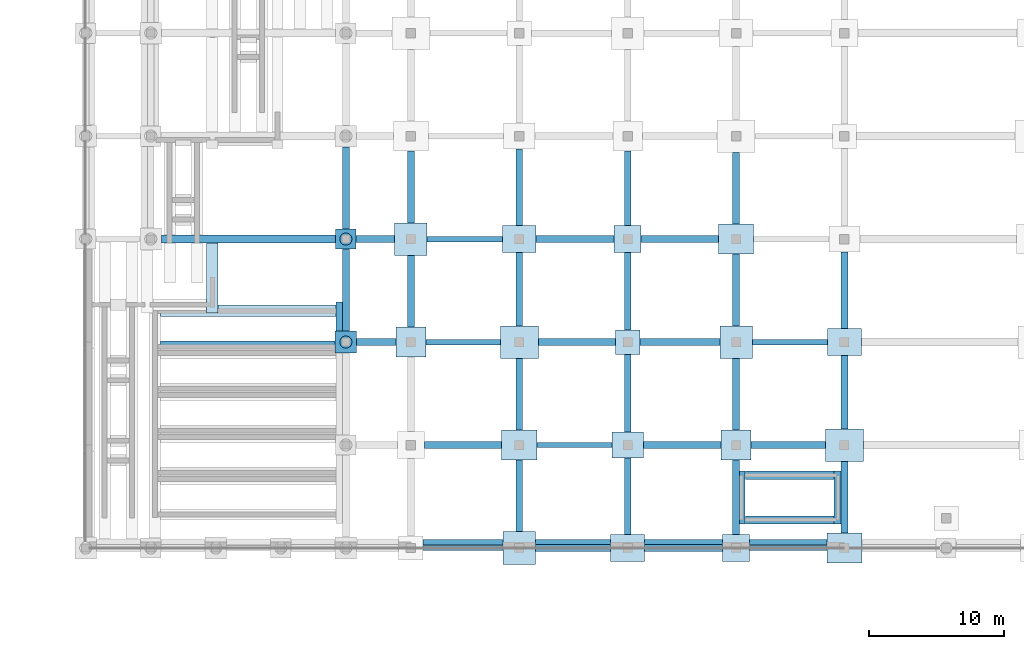
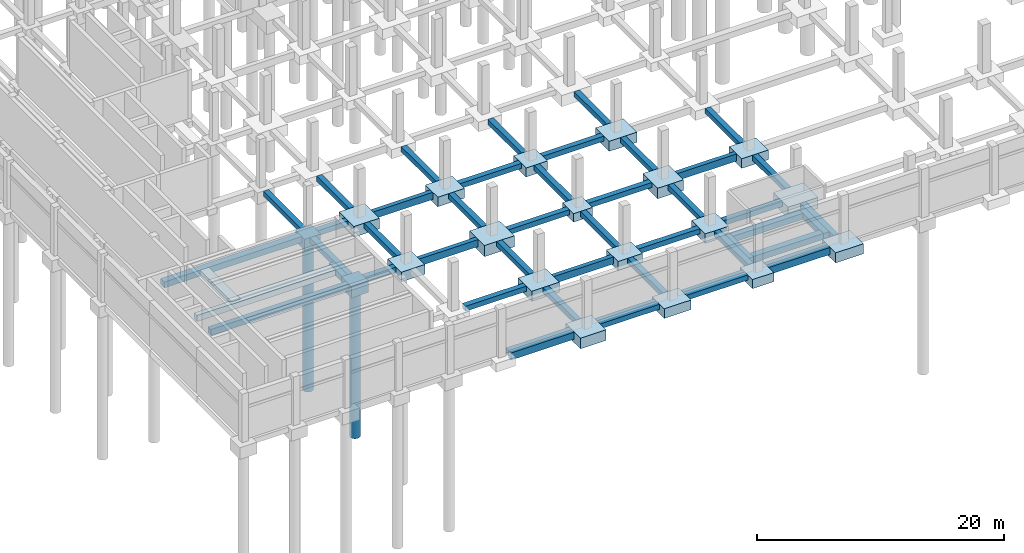
# One storey, part 2 of 50: 68 footings, 2 piles.
"""IFC4 building model written with IfcOpenShell, lengths in metres."""

import ifcopenshell
import ifcopenshell.guid

model = None  # the IFC model being written
_history = None  # IfcOwnerHistory: only IFC2X3 demands one
_inside = {}  # id of a spatial element -> (the spatial element, [elements in it])
_under = {}  # id of a project, library or spatial element -> (it, [spatial elements below it])
_declared = {}  # id of a project -> (the project, [libraries it declares])
_typed = {}  # id of a type object -> (the type object, [elements of that type])
_made_of = {}  # id of a material, layer set ... -> (it, [elements and type objects made of it])


def new_model(schema):
    """Start an empty IFC model of exactly this schema.

    Asked for "IFC4X3", IfcOpenShell would pick the latest addendum, in which some entities
    have other attributes; the version numbers below select the first issue.
    IFC2X3 requires an IfcOwnerHistory on every rooted entity: one is made here for all.
    """
    global model, _history
    if schema == "IFC4X3":
        model = ifcopenshell.file(schema_version=(4, 3, 0, 0))
    else:
        model = ifcopenshell.file(schema=schema)
    _inside.clear()
    _under.clear()
    _declared.clear()
    _typed.clear()
    _made_of.clear()
    _history = None
    if model.schema == "IFC2X3":
        org = make("IfcOrganization", Name="unknown")
        user = make(
            "IfcPersonAndOrganization",
            ThePerson=make("IfcPerson", FamilyName="unknown"),
            TheOrganization=org,
        )
        app = make(
            "IfcApplication",
            ApplicationDeveloper=org,
            Version="unknown",
            ApplicationFullName="unknown",
            ApplicationIdentifier="unknown",
        )
        _history = make(
            "IfcOwnerHistory",
            OwningUser=user,
            OwningApplication=app,
            ChangeAction="ADDED",
            CreationDate=0,
        )
    return model


def make(cls, **values):
    """One entity of the class cls with the attributes given. An attribute that is None is left unset."""
    return model.create_entity(
        cls, **{name: value for name, value in values.items() if value is not None}
    )


def rooted(cls, **values):
    """An entity with a GlobalId (a new one), such as an element, a storey or a relation."""
    return make(cls, GlobalId=ifcopenshell.guid.new(), OwnerHistory=_history, **values)


def si_unit(unit_type, name, prefix=None):
    """IfcSIUnit, for example si_unit("LENGTHUNIT", "METRE", prefix="MILLI")."""
    return make("IfcSIUnit", UnitType=unit_type, Prefix=prefix, Name=name)


def assignment(units):
    """IfcUnitAssignment: the units of a project."""
    return None if units is None else make("IfcUnitAssignment", Units=units)


def point(xyz):
    """IfcCartesianPoint."""
    return None if xyz is None else make("IfcCartesianPoint", Coordinates=xyz)


def direction(xyz):
    """IfcDirection."""
    return None if xyz is None else make("IfcDirection", DirectionRatios=xyz)


def frame(location, z_axis=None, x_axis=None):
    """IfcAxis2Placement3D, a coordinate frame: its origin and axes. An axis left out is left unset."""
    return make(
        "IfcAxis2Placement3D",
        Location=point(location),
        Axis=direction(z_axis),
        RefDirection=direction(x_axis),
    )


def frame_2d(location, x_axis=None):
    """IfcAxis2Placement2D, a coordinate frame in the plane: its origin and x axis."""
    return make(
        "IfcAxis2Placement2D", Location=point(location), RefDirection=direction(x_axis)
    )


def origin():
    """The frame at (0, 0, 0) with its axes left unset."""
    return frame((0.0, 0.0, 0.0))


def origin_2d():
    """The frame at (0, 0) in the plane with its x axis left unset."""
    return frame_2d((0.0, 0.0))


def place(relative_to, where):
    """IfcLocalPlacement: puts the frame where relative to a parent placement (None: the world)."""
    return make(
        "IfcLocalPlacement", PlacementRelTo=relative_to, RelativePlacement=where
    )


def context(
    kind, dimensions, precision=None, world=None, true_north=None, identifier=None
):
    """IfcGeometricRepresentationContext, for example the 3D "Model" context."""
    return make(
        "IfcGeometricRepresentationContext",
        ContextIdentifier=identifier,
        ContextType=kind,
        CoordinateSpaceDimension=dimensions,
        Precision=precision,
        WorldCoordinateSystem=world,
        TrueNorth=true_north,
    )


def subcontext(parent, identifier, kind, view, scale=None):
    """IfcGeometricRepresentationSubContext, for example "Body" below "Model"."""
    return make(
        "IfcGeometricRepresentationSubContext",
        ContextIdentifier=identifier,
        ContextType=kind,
        ParentContext=parent,
        TargetScale=scale,
        TargetView=view,
    )


def project(units=None, contexts=None):
    """IfcProject with its units and contexts."""
    return rooted(
        "IfcProject",
        Name="project",
        RepresentationContexts=contexts,
        UnitsInContext=assignment(units),
    )


def spatial(cls, under=None, at=None, **own):
    """A site, building, storey or space (cls), placed at a placement, below another one or the project."""
    s = rooted(cls, ObjectPlacement=at, **own)
    if under is not None:
        _under.setdefault(under.id(), (under, []))[1].append(s)
    return s


def polyline(points):
    """IfcPolyline through the points."""
    return make("IfcPolyline", Points=[point(p) for p in points])


def profile(cls, at=None, kind="AREA", **sizes):
    """A parametric profile (cls). Its sizes go by their IFC names, for example OverallWidth=200.0."""
    return make(cls, ProfileType=kind, Position=at, **sizes)


def rectangle(**sizes):
    """IfcRectangleProfileDef."""
    return profile("IfcRectangleProfileDef", **sizes)


def circle(**sizes):
    """IfcCircleProfileDef."""
    return profile("IfcCircleProfileDef", **sizes)


def outline(outer, holes=None, kind="AREA"):
    """IfcArbitraryClosedProfileDef: a profile drawn as a closed curve; with holes, ...WithVoids."""
    if holes is None:
        return make("IfcArbitraryClosedProfileDef", ProfileType=kind, OuterCurve=outer)
    return make(
        "IfcArbitraryProfileDefWithVoids",
        ProfileType=kind,
        OuterCurve=outer,
        InnerCurves=holes,
    )


def extrude(swept, where, along, depth):
    """IfcExtrudedAreaSolid: the profile swept, set in the frame where, extruded along a direction by depth."""
    return make(
        "IfcExtrudedAreaSolid",
        SweptArea=swept,
        Position=where,
        ExtrudedDirection=direction(along),
        Depth=depth,
    )


def shape(context_of_items, identifier, shape_type, items):
    """IfcShapeRepresentation: the items that make up one representation, for example the "Body"."""
    return make(
        "IfcShapeRepresentation",
        ContextOfItems=context_of_items,
        RepresentationIdentifier=identifier,
        RepresentationType=shape_type,
        Items=items,
    )


def material(Name=None, Category=None):
    """IfcMaterial."""
    return make("IfcMaterial", Name=Name, Category=Category)


def material_profile(
    of_material, cross_section, Name=None, Category=None, Priority=None
):
    """IfcMaterialProfile: a cross section and its material."""
    return make(
        "IfcMaterialProfile",
        Name=Name,
        Material=of_material,
        Profile=cross_section,
        Priority=Priority,
        Category=Category,
    )


def profile_set(profiles, Name=None, composite=None):
    """IfcMaterialProfileSet."""
    return make(
        "IfcMaterialProfileSet",
        Name=Name,
        MaterialProfiles=profiles,
        CompositeProfile=composite,
    )


def made_of(thing, what):
    """Note that an element or type object is made of a material, layer set ...; save() writes the relation."""
    if what is not None:
        _made_of.setdefault(what.id(), (what, []))[1].append(thing)
    return thing


def type_object(cls, material=None, **own):
    """A type object (cls), such as IfcWallType, which elements share."""
    return made_of(rooted(cls, **own), material)


def element(
    cls,
    number,
    at=None,
    inside=None,
    cuts=None,
    type_object=None,
    material=None,
    context=None,
    identifier="Body",
    shape_type=None,
    held_by="IfcProductDefinitionShape",
    body=None,
    shapes=None,
    **own,
):
    """One element of the class cls, such as IfcWall. Its Tag is "e" and its number.

    at: its placement. inside: the storey or other place that contains it. cuts: it is an
    opening in that element (IfcRelVoidsElement). A single representation is given by context,
    identifier, shape_type and body (its items); several are given by shapes. held_by: the class
    of the entity that holds the representations. save() writes the other relations.
    """
    e = rooted(cls, Tag="e%d" % number, ObjectPlacement=at, **own)
    if body is not None:
        shapes = [shape(context, identifier, shape_type, body)]
    if shapes is not None:
        e.Representation = make(held_by, Representations=shapes)
    if inside is not None:
        _inside.setdefault(inside.id(), (inside, []))[1].append(e)
    if cuts is not None:
        rooted(
            "IfcRelVoidsElement", RelatingBuildingElement=cuts, RelatedOpeningElement=e
        )
    if type_object is not None:
        _typed.setdefault(type_object.id(), (type_object, []))[1].append(e)
    return made_of(e, material)


def aggregate(whole, parts):
    """IfcRelAggregates: a whole, such as a stair, and the parts it consists of."""
    return rooted("IfcRelAggregates", RelatingObject=whole, RelatedObjects=parts)


def save(model, path):
    """Write the relations noted so far, then the file.

    IfcRelAggregates (storeys below a building ...), IfcRelContainedInSpatialStructure (elements
    in a storey), IfcRelDefinesByType, IfcRelAssociatesMaterial and IfcRelDeclares: one each for
    every whole, place, type object, material and project.
    """
    for whole, parts in _under.values():
        aggregate(whole, parts)
    for where, things in _inside.values():
        rooted(
            "IfcRelContainedInSpatialStructure",
            RelatedElements=things,
            RelatingStructure=where,
        )
    for kind, things in _typed.values():
        rooted("IfcRelDefinesByType", RelatedObjects=things, RelatingType=kind)
    for what, things in _made_of.values():
        rooted("IfcRelAssociatesMaterial", RelatedObjects=things, RelatingMaterial=what)
    for by, libraries in _declared.values():
        rooted("IfcRelDeclares", RelatingContext=by, RelatedDefinitions=libraries)
    model.write(path)


model = new_model("IFC4")

# Units and contexts
model_context = context("Model", 3, precision=1e-05, world=origin(), true_north=direction((0.0, 1.0)))
body_context = subcontext(model_context, "Body", "Model", "MODEL_VIEW")
ifc_project = project(units=[si_unit("LENGTHUNIT", "METRE"), si_unit("AREAUNIT", "SQUARE_METRE"), si_unit("VOLUMEUNIT", "CUBIC_METRE"), si_unit("PLANEANGLEUNIT", "RADIAN"), si_unit("MASSUNIT", "GRAM", prefix="KILO")], contexts=[model_context])

# Site, building, storey
site_placement = place(None, origin())
site = spatial("IfcSite", under=ifc_project, at=site_placement, CompositionType="ELEMENT")
building_placement = place(site_placement, origin())
building = spatial("IfcBuilding", under=site, at=building_placement, Name="Vekula Escarpment Museum", CompositionType="ELEMENT")
storey_placement = place(building_placement, frame((0.0, 0.0, -4.800048828125)))
storey = spatial("IfcBuildingStorey", under=building, at=storey_placement, Name="B1", CompositionType="ELEMENT", Elevation=-4.800048828125)

# Footings
ifc_material_1 = material(Name="Concrete C35/45", Category="concrete")
footing_type_1 = type_object("IfcFootingType", Name="FB-STRIP-600", PredefinedType="STRIP_FOOTING", material=ifc_material_1)
footing_1_placement = place(storey_placement, frame((0.0, 0.0, -0.599853515625)))
element("IfcFooting", 1, at=footing_1_placement, inside=storey, type_object=footing_type_1, Name="Plinth Wall Strip Footing 0064", PredefinedType="STRIP_FOOTING", context=body_context, shape_type="SweptSolid", body=[
    extrude(outline(polyline([(30.7958984375, 0.64501953125), (30.7958984375, 0.2041015625), (24.904052734375, 0.2041015625), (24.904052734375, 0.64501953125), (30.7958984375, 0.64501953125)])), origin(), (0.0, 0.0, 1.0), 0.599853515625),
])
footing_2_placement = place(storey_placement, frame((0.0, 0.0, -0.599853515625)))
element("IfcFooting", 2, at=footing_2_placement, inside=storey, type_object=footing_type_1, Name="Plinth Wall Strip Footing 0065", PredefinedType="STRIP_FOOTING", context=body_context, shape_type="SweptSolid", body=[
    extrude(outline(polyline([(38.74609375, 0.64501953125), (38.74609375, 0.25390625), (33.2041015625, 0.25390625), (33.2041015625, 0.64501953125), (38.74609375, 0.64501953125)])), origin(), (0.0, 0.0, 1.0), 0.599853515625),
])
footing_3_placement = place(storey_placement, frame((0.0, 0.0, -0.599853515625)))
element("IfcFooting", 3, at=footing_3_placement, inside=storey, type_object=footing_type_1, Name="Plinth Wall Strip Footing 0066", PredefinedType="STRIP_FOOTING", context=body_context, shape_type="SweptSolid", body=[
    extrude(outline(polyline([(46.99609375, 0.64501953125), (46.99609375, 0.25390625), (41.25390625, 0.25390625), (41.25390625, 0.64501953125), (46.99609375, 0.64501953125)])), origin(), (0.0, 0.0, 1.0), 0.599853515625),
])
footing_4_placement = place(storey_placement, frame((0.0, 0.0, -0.599853515625)))
element("IfcFooting", 4, at=footing_4_placement, inside=storey, type_object=footing_type_1, Name="Plinth Wall Strip Footing 0067", PredefinedType="STRIP_FOOTING", context=body_context, shape_type="SweptSolid", body=[
    extrude(outline(polyline([(54.696044921875, 0.64501953125), (54.696044921875, 0.2041015625), (49.00390625, 0.2041015625), (49.00390625, 0.64501953125), (54.696044921875, 0.64501953125)])), origin(), (0.0, 0.0, 1.0), 0.599853515625),
])
footing_5_placement = place(storey_placement, frame((0.0, 0.0, -0.599853515625)))
element("IfcFooting", 5, at=footing_5_placement, inside=storey, type_object=footing_type_1, Name="Plinth Wall Strip Footing 0167", PredefinedType="STRIP_FOOTING", context=body_context, shape_type="SweptSolid", body=[
    extrude(outline(polyline([(9.77001953125, 17.340087890625), (8.929931640625, 17.340087890625), (8.929931640625, 22.49609375), (9.77001953125, 22.49609375), (9.77001953125, 17.340087890625)])), origin(), (0.0, 0.0, 1.0), 0.599853515625),
])
footing_6_placement = place(storey_placement, frame((0.0, 0.0, -0.599853515625)))
element("IfcFooting", 6, at=footing_6_placement, inside=storey, type_object=footing_type_1, Name="Plinth Wall Strip Footing 0183", PredefinedType="STRIP_FOOTING", context=body_context, shape_type="SweptSolid", body=[
    extrude(outline(polyline([(18.47998046875, 18.159912109375), (18.946044921875, 18.159912109375), (18.946044921875, 16.00390625), (18.47998046875, 16.00390625), (18.47998046875, 18.159912109375)])), origin(), (0.0, 0.0, 1.0), 0.599853515625),
])
footing_7_placement = place(storey_placement, frame((0.0, 0.0, -0.599853515625)))
element("IfcFooting", 7, at=footing_7_placement, inside=storey, type_object=footing_type_1, Name="Plinth Wall Strip Footing 0196", PredefinedType="STRIP_FOOTING", context=body_context, shape_type="SweptSolid", body=[
    extrude(outline(polyline([(18.39599609375, 15.27001953125), (18.39599609375, 14.803955078125), (5.52392578125, 14.803955078125), (5.52392578125, 15.27001953125), (18.39599609375, 15.27001953125)])), origin(), (0.0, 0.0, 1.0), 0.599853515625),
])
footing_8_placement = place(storey_placement, frame((0.0, 0.0, -0.599853515625)))
element("IfcFooting", 8, at=footing_8_placement, inside=storey, type_object=footing_type_1, Name="Plinth Wall Strip Footing 0197", PredefinedType="STRIP_FOOTING", context=body_context, shape_type="SweptSolid", body=[
    extrude(outline(polyline([(5.52392578125, 17.080078125), (5.52392578125, 17.52587890625), (8.926025390625, 17.52587890625), (8.926025390625, 17.3359375), (9.77392578125, 17.3359375), (9.77392578125, 17.919921875), (18.47607421875, 17.919921875), (18.47607421875, 17.080078125), (5.52392578125, 17.080078125)])), origin(), (0.0, 0.0, 1.0), 0.599853515625),
])
footing_9_placement = place(storey_placement, frame((0.0, 0.0, -0.599853515625)))
element("IfcFooting", 9, at=footing_9_placement, inside=storey, type_object=footing_type_1, Name="Stair Core Strip Footing ST-07 W", PredefinedType="STRIP_FOOTING", context=body_context, shape_type="SweptSolid", body=[
    extrude(outline(polyline([(48.675048828125, 5.68505859375), (48.675048828125, 1.7548828125), (48.25390625, 1.7548828125), (48.25390625, 5.68505859375), (48.675048828125, 5.68505859375)])), origin(), (0.0, 0.0, 1.0), 0.599853515625),
])
footing_10_placement = place(storey_placement, frame((0.0, 0.0, -0.599853515625)))
element("IfcFooting", 10, at=footing_10_placement, inside=storey, type_object=footing_type_1, Name="Stair Core Strip Footing ST-07 E", PredefinedType="STRIP_FOOTING", context=body_context, shape_type="SweptSolid", body=[
    extrude(outline(polyline([(55.22509765625, 1.7548828125), (55.22509765625, 5.68505859375), (55.74609375, 5.68505859375), (55.74609375, 1.7548828125), (55.22509765625, 1.7548828125)])), origin(), (0.0, 0.0, 1.0), 0.599853515625),
])
footing_11_placement = place(storey_placement, frame((0.0, 0.0, -0.599853515625)))
element("IfcFooting", 11, at=footing_11_placement, inside=storey, type_object=footing_type_1, Name="Stair Core Strip Footing ST-07 S", PredefinedType="STRIP_FOOTING", context=body_context, shape_type="SweptSolid", body=[
    extrude(outline(polyline([(48.678955078125, 1.77490234375), (48.678955078125, 2.375), (55.220947265625, 2.375), (55.220947265625, 1.77490234375), (48.678955078125, 1.77490234375)])), origin(), (0.0, 0.0, 1.0), 0.599853515625),
])
footing_12_placement = place(storey_placement, frame((0.0, 0.0, -0.599853515625)))
element("IfcFooting", 12, at=footing_12_placement, inside=storey, type_object=footing_type_1, Name="Stair Core Strip Footing ST-07 N", PredefinedType="STRIP_FOOTING", context=body_context, shape_type="SweptSolid", body=[
    extrude(outline(polyline([(48.678955078125, 5.06494140625), (48.678955078125, 5.6650390625), (55.220947265625, 5.6650390625), (55.220947265625, 5.06494140625), (48.678955078125, 5.06494140625)])), origin(), (0.0, 0.0, 1.0), 0.599853515625),
])
ifc_material_2 = material(Name="Concrete C35/45", Category="concrete")
ifc_material_profile_1 = material_profile(ifc_material_2, rectangle(XDim=0.39990234375, YDim=0.699951171875, at=origin_2d()), Name="RC 400x700")
ifc_profile_set_1 = profile_set([ifc_material_profile_1], Name="Concrete C35/45")
footing_type_2 = type_object("IfcFootingType", Name="FB-TIE-400x700", PredefinedType="FOOTING_BEAM", material=ifc_profile_set_1)
footing_13_placement = place(storey_placement, frame((24.89990234375, 0.0, -0.349853515625), z_axis=(1.0, 0.0, 0.0), x_axis=(0.0, 1.0, 0.0)))
element("IfcFooting", 13, at=footing_13_placement, inside=storey, type_object=footing_type_2, Name="Foundation Tie Beam 006", PredefinedType="FOOTING_BEAM", context=body_context, shape_type="SweptSolid", body=[
    extrude(rectangle(XDim=0.39990234375, YDim=0.699951171875, at=origin_2d()), origin(), (0.0, 0.0, 1.0), 5.900146484375),
])
footing_14_placement = place(storey_placement, frame((49.0, 0.0, -0.349853515625), z_axis=(1.0, 0.0, 0.0), x_axis=(0.0, 1.0, 0.0)))
element("IfcFooting", 14, at=footing_14_placement, inside=storey, type_object=footing_type_2, Name="Foundation Tie Beam 009", PredefinedType="FOOTING_BEAM", context=body_context, shape_type="SweptSolid", body=[
    extrude(rectangle(XDim=0.39990234375, YDim=0.699951171875, at=origin_2d()), origin(), (0.0, 0.0, 1.0), 5.699951171875),
])
footing_15_placement = place(storey_placement, frame((33.300048828125, 7.60009765625, -0.349853515625), z_axis=(1.0, 0.0, 0.0), x_axis=(0.0, 1.0, 0.0)))
element("IfcFooting", 15, at=footing_15_placement, inside=storey, type_object=footing_type_2, Name="Foundation Tie Beam 027", PredefinedType="FOOTING_BEAM", context=body_context, shape_type="SweptSolid", body=[
    extrude(rectangle(XDim=0.39990234375, YDim=0.699951171875, at=origin_2d()), origin(), (0.0, 0.0, 1.0), 5.550048828125),
])
footing_16_placement = place(storey_placement, frame((25.10009765625, 15.199951171875, -0.349853515625), z_axis=(1.0, 0.0, 0.0), x_axis=(0.0, 1.0, 0.0)))
element("IfcFooting", 16, at=footing_16_placement, inside=storey, type_object=footing_type_2, Name="Foundation Tie Beam 045", PredefinedType="FOOTING_BEAM", context=body_context, shape_type="SweptSolid", body=[
    extrude(rectangle(XDim=0.39990234375, YDim=0.699951171875, at=origin_2d()), origin(), (0.0, 0.0, 1.0), 5.5),
])
for number, where, z_axis, x_axis, name in (
    (17, (49.199951171875, 15.199951171875, -0.349853515625), (1.0, 0.0, 0.0), (0.0, 1.0, 0.0), "Foundation Tie Beam 048"),
    (18, (25.199951171875, 22.800048828125, -0.349853515625), (1.0, 0.0, 0.0), (0.0, 1.0, 0.0), "Foundation Tie Beam 066"),
):
    element("IfcFooting", number, at=place(storey_placement, frame(where, z_axis=z_axis, x_axis=x_axis)), inside=storey, type_object=footing_type_2, Name=name, PredefinedType="FOOTING_BEAM", context=body_context, shape_type="SweptSolid", body=[
        extrude(rectangle(XDim=0.39990234375, YDim=0.699951171875, at=origin_2d()), origin(), (0.0, 0.0, 1.0), 5.550048828125),
    ])
ifc_material_3 = material(Name="Concrete C35/45", Category="concrete")
ifc_material_profile_2 = material_profile(ifc_material_3, rectangle(XDim=0.5, YDim=0.5, at=origin_2d()), Name="RC 500x500")
ifc_profile_set_2 = profile_set([ifc_material_profile_2], Name="Concrete C35/45")
footing_type_3 = type_object("IfcFootingType", Name="FB-TIE-500x500", PredefinedType="FOOTING_BEAM", material=ifc_profile_set_2)
footing_17_placement = place(storey_placement, frame((33.199951171875, 0.0, -0.25), z_axis=(1.0, 0.0, 0.0), x_axis=(0.0, 1.0, 0.0)))
element("IfcFooting", 19, at=footing_17_placement, inside=storey, type_object=footing_type_3, Name="Foundation Tie Beam 007", PredefinedType="FOOTING_BEAM", context=body_context, shape_type="SweptSolid", body=[
    extrude(rectangle(XDim=0.5, YDim=0.5, at=origin_2d()), origin(), (0.0, 0.0, 1.0), 5.550048828125),
])
footing_18_placement = place(storey_placement, frame((41.25, 0.0, -0.25), z_axis=(1.0, 0.0, 0.0), x_axis=(0.0, 1.0, 0.0)))
element("IfcFooting", 20, at=footing_18_placement, inside=storey, type_object=footing_type_3, Name="Foundation Tie Beam 008", PredefinedType="FOOTING_BEAM", context=body_context, shape_type="SweptSolid", body=[
    extrude(rectangle(XDim=0.5, YDim=0.5, at=origin_2d()), origin(), (0.0, 0.0, 1.0), 5.75),
])
footing_19_placement = place(storey_placement, frame((25.0, 7.60009765625, -0.25), z_axis=(1.0, 0.0, 0.0), x_axis=(0.0, 1.0, 0.0)))
element("IfcFooting", 21, at=footing_19_placement, inside=storey, type_object=footing_type_3, Name="Foundation Tie Beam 026", PredefinedType="FOOTING_BEAM", context=body_context, shape_type="SweptSolid", body=[
    extrude(rectangle(XDim=0.5, YDim=0.5, at=origin_2d()), origin(), (0.0, 0.0, 1.0), 5.699951171875),
])
footing_20_placement = place(storey_placement, frame((41.14990234375, 7.60009765625, -0.25), z_axis=(1.0, 0.0, 0.0), x_axis=(0.0, 1.0, 0.0)))
element("IfcFooting", 22, at=footing_20_placement, inside=storey, type_object=footing_type_3, Name="Foundation Tie Beam 028", PredefinedType="FOOTING_BEAM", context=body_context, shape_type="SweptSolid", body=[
    extrude(rectangle(XDim=0.5, YDim=0.5, at=origin_2d()), origin(), (0.0, 0.0, 1.0), 5.75),
])
footing_21_placement = place(storey_placement, frame((49.10009765625, 7.60009765625, -0.25), z_axis=(1.0, 0.0, 0.0), x_axis=(0.0, 1.0, 0.0)))
element("IfcFooting", 23, at=footing_21_placement, inside=storey, type_object=footing_type_3, Name="Foundation Tie Beam 029", PredefinedType="FOOTING_BEAM", context=body_context, shape_type="SweptSolid", body=[
    extrude(rectangle(XDim=0.5, YDim=0.5, at=origin_2d()), origin(), (0.0, 0.0, 1.0), 5.5),
])
footing_22_placement = place(storey_placement, frame((20.0, 15.199951171875, -0.25), z_axis=(1.0, 0.0, 0.0), x_axis=(0.0, 1.0, 0.0)))
element("IfcFooting", 24, at=footing_22_placement, inside=storey, type_object=footing_type_3, Name="Foundation Tie Beam 044", PredefinedType="FOOTING_BEAM", context=body_context, shape_type="SweptSolid", body=[
    extrude(rectangle(XDim=0.5, YDim=0.5, at=origin_2d()), origin(), (0.0, 0.0, 1.0), 2.89990234375),
])
footing_23_placement = place(storey_placement, frame((33.39990234375, 15.199951171875, -0.25), z_axis=(1.0, 0.0, 0.0), x_axis=(0.0, 1.0, 0.0)))
element("IfcFooting", 25, at=footing_23_placement, inside=storey, type_object=footing_type_3, Name="Foundation Tie Beam 046", PredefinedType="FOOTING_BEAM", context=body_context, shape_type="SweptSolid", body=[
    extrude(rectangle(XDim=0.5, YDim=0.5, at=origin_2d()), origin(), (0.0, 0.0, 1.0), 5.7001953125),
])
footing_24_placement = place(storey_placement, frame((40.89990234375, 15.199951171875, -0.25), z_axis=(1.0, 0.0, 0.0), x_axis=(0.0, 1.0, 0.0)))
element("IfcFooting", 26, at=footing_24_placement, inside=storey, type_object=footing_type_3, Name="Foundation Tie Beam 047", PredefinedType="FOOTING_BEAM", context=body_context, shape_type="SweptSolid", body=[
    extrude(rectangle(XDim=0.5, YDim=0.5, at=origin_2d()), origin(), (0.0, 0.0, 1.0), 5.900146484375),
])
footing_25_placement = place(storey_placement, frame((19.949951171875, 22.800048828125, -0.25), z_axis=(1.0, 0.0, 0.0), x_axis=(0.0, 1.0, 0.0)))
element("IfcFooting", 27, at=footing_25_placement, inside=storey, type_object=footing_type_3, Name="Foundation Tie Beam 065", PredefinedType="FOOTING_BEAM", context=body_context, shape_type="SweptSolid", body=[
    extrude(rectangle(XDim=0.5, YDim=0.5, at=origin_2d()), origin(), (0.0, 0.0, 1.0), 2.85009765625),
])
footing_26_placement = place(storey_placement, frame((33.25, 22.800048828125, -0.25), z_axis=(1.0, 0.0, 0.0), x_axis=(0.0, 1.0, 0.0)))
element("IfcFooting", 28, at=footing_26_placement, inside=storey, type_object=footing_type_3, Name="Foundation Tie Beam 067", PredefinedType="FOOTING_BEAM", context=body_context, shape_type="SweptSolid", body=[
    extrude(rectangle(XDim=0.5, YDim=0.5, at=origin_2d()), origin(), (0.0, 0.0, 1.0), 5.75),
])
footing_27_placement = place(storey_placement, frame((41.0, 22.800048828125, -0.25), z_axis=(1.0, 0.0, 0.0), x_axis=(0.0, 1.0, 0.0)))
element("IfcFooting", 29, at=footing_27_placement, inside=storey, type_object=footing_type_3, Name="Foundation Tie Beam 068", PredefinedType="FOOTING_BEAM", context=body_context, shape_type="SweptSolid", body=[
    extrude(rectangle(XDim=0.5, YDim=0.5, at=origin_2d()), origin(), (0.0, 0.0, 1.0), 5.699951171875),
])
for number, where, z_axis, x_axis, name in (
    (30, (19.199951171875, 16.0, -0.25), (0.0, 1.0, 0.0), (-1.0, 0.0, 0.0), "Foundation Tie Beam 444"),
    (31, (19.199951171875, 23.550048828125, -0.25), (0.0, 1.0, 0.0), (-1.0, 0.0, 0.0), "Foundation Tie Beam 445"),
):
    element("IfcFooting", number, at=place(storey_placement, frame(where, z_axis=z_axis, x_axis=x_axis)), inside=storey, type_object=footing_type_3, Name=name, PredefinedType="FOOTING_BEAM", context=body_context, shape_type="SweptSolid", body=[
        extrude(rectangle(XDim=0.5, YDim=0.5, at=origin_2d()), origin(), (0.0, 0.0, 1.0), 6.050048828125),
    ])
for number, where, z_axis, x_axis, name in (
    (32, (24.0, 16.300048828125, -0.25), (0.0, 1.0, 0.0), (-1.0, 0.0, 0.0), "Foundation Tie Beam 462"),
    (33, (24.0, 24.0, -0.25), (0.0, 1.0, 0.0), (-1.0, 0.0, 0.0), "Foundation Tie Beam 463"),
    (34, (32.0, 1.199951171875, -0.25), (0.0, 1.0, 0.0), (-1.0, 0.0, 0.0), "Foundation Tie Beam 478"),
    (35, (32.0, 8.699951171875, -0.25), (0.0, 1.0, 0.0), (-1.0, 0.0, 0.0), "Foundation Tie Beam 479"),
):
    element("IfcFooting", number, at=place(storey_placement, frame(where, z_axis=z_axis, x_axis=x_axis)), inside=storey, type_object=footing_type_3, Name=name, PredefinedType="FOOTING_BEAM", context=body_context, shape_type="SweptSolid", body=[
        extrude(rectangle(XDim=0.5, YDim=0.5, at=origin_2d()), origin(), (0.0, 0.0, 1.0), 5.300048828125),
    ])
footing_28_placement = place(storey_placement, frame((32.0, 16.39990234375, -0.25), z_axis=(0.0, 1.0, 0.0), x_axis=(-1.0, 0.0, 0.0)))
element("IfcFooting", 36, at=footing_28_placement, inside=storey, type_object=footing_type_3, Name="Foundation Tie Beam 480", PredefinedType="FOOTING_BEAM", context=body_context, shape_type="SweptSolid", body=[
    extrude(rectangle(XDim=0.5, YDim=0.5, at=origin_2d()), origin(), (0.0, 0.0, 1.0), 5.400146484375),
])
for number, where, z_axis, x_axis, name in (
    (37, (32.0, 23.800048828125, -0.25), (0.0, 1.0, 0.0), (-1.0, 0.0, 0.0), "Foundation Tie Beam 481"),
    (38, (40.0, 1.0, -0.25), (0.0, 1.0, 0.0), (-1.0, 0.0, 0.0), "Foundation Tie Beam 496"),
):
    element("IfcFooting", number, at=place(storey_placement, frame(where, z_axis=z_axis, x_axis=x_axis)), inside=storey, type_object=footing_type_3, Name=name, PredefinedType="FOOTING_BEAM", context=body_context, shape_type="SweptSolid", body=[
        extrude(rectangle(XDim=0.5, YDim=0.5, at=origin_2d()), origin(), (0.0, 0.0, 1.0), 5.64990234375),
    ])
footing_29_placement = place(storey_placement, frame((40.0, 8.550048828125, -0.25), z_axis=(0.0, 1.0, 0.0), x_axis=(-1.0, 0.0, 0.0)))
element("IfcFooting", 39, at=footing_29_placement, inside=storey, type_object=footing_type_3, Name="Foundation Tie Beam 497", PredefinedType="FOOTING_BEAM", context=body_context, shape_type="SweptSolid", body=[
    extrude(rectangle(XDim=0.5, YDim=0.5, at=origin_2d()), origin(), (0.0, 0.0, 1.0), 5.75),
])
footing_30_placement = place(storey_placement, frame((40.0, 16.10009765625, -0.25), z_axis=(0.0, 1.0, 0.0), x_axis=(-1.0, 0.0, 0.0)))
element("IfcFooting", 40, at=footing_30_placement, inside=storey, type_object=footing_type_3, Name="Foundation Tie Beam 498", PredefinedType="FOOTING_BEAM", context=body_context, shape_type="SweptSolid", body=[
    extrude(rectangle(XDim=0.5, YDim=0.5, at=origin_2d()), origin(), (0.0, 0.0, 1.0), 5.699951171875),
])
for number, where, z_axis, x_axis, name in (
    (41, (40.0, 23.800048828125, -0.25), (0.0, 1.0, 0.0), (-1.0, 0.0, 0.0), "Foundation Tie Beam 499"),
    (42, (48.0, 1.0, -0.25), (0.0, 1.0, 0.0), (-1.0, 0.0, 0.0), "Foundation Tie Beam 514"),
):
    element("IfcFooting", number, at=place(storey_placement, frame(where, z_axis=z_axis, x_axis=x_axis)), inside=storey, type_object=footing_type_3, Name=name, PredefinedType="FOOTING_BEAM", context=body_context, shape_type="SweptSolid", body=[
        extrude(rectangle(XDim=0.5, YDim=0.5, at=origin_2d()), origin(), (0.0, 0.0, 1.0), 5.5),
    ])
for number, where, z_axis, x_axis, name in (
    (43, (48.0, 8.699951171875, -0.25), (0.0, 1.0, 0.0), (-1.0, 0.0, 0.0), "Foundation Tie Beam 515"),
    (44, (48.0, 16.39990234375, -0.25), (0.0, 1.0, 0.0), (-1.0, 0.0, 0.0), "Foundation Tie Beam 516"),
    (45, (48.0, 23.89990234375, -0.25), (0.0, 1.0, 0.0), (-1.0, 0.0, 0.0), "Foundation Tie Beam 517"),
):
    element("IfcFooting", number, at=place(storey_placement, frame(where, z_axis=z_axis, x_axis=x_axis)), inside=storey, type_object=footing_type_3, Name=name, PredefinedType="FOOTING_BEAM", context=body_context, shape_type="SweptSolid", body=[
        extrude(rectangle(XDim=0.5, YDim=0.5, at=origin_2d()), origin(), (0.0, 0.0, 1.0), 5.300048828125),
    ])
footing_31_placement = place(storey_placement, frame((56.0, 1.10009765625, -0.25), z_axis=(0.0, 1.0, 0.0), x_axis=(-1.0, 0.0, 0.0)))
element("IfcFooting", 46, at=footing_31_placement, inside=storey, type_object=footing_type_3, Name="Foundation Tie Beam 532", PredefinedType="FOOTING_BEAM", context=body_context, shape_type="SweptSolid", body=[
    extrude(rectangle(XDim=0.5, YDim=0.5, at=origin_2d()), origin(), (0.0, 0.0, 1.0), 5.2998046875),
])
footing_32_placement = place(storey_placement, frame((56.0, 8.800048828125, -0.25), z_axis=(0.0, 1.0, 0.0), x_axis=(-1.0, 0.0, 0.0)))
element("IfcFooting", 47, at=footing_32_placement, inside=storey, type_object=footing_type_3, Name="Foundation Tie Beam 533", PredefinedType="FOOTING_BEAM", context=body_context, shape_type="SweptSolid", body=[
    extrude(rectangle(XDim=0.5, YDim=0.5, at=origin_2d()), origin(), (0.0, 0.0, 1.0), 5.39990234375),
])
footing_33_placement = place(storey_placement, frame((56.0, 16.199951171875, -0.25), z_axis=(0.0, 1.0, 0.0), x_axis=(-1.0, 0.0, 0.0)))
element("IfcFooting", 48, at=footing_33_placement, inside=storey, type_object=footing_type_3, Name="Foundation Tie Beam 534", PredefinedType="FOOTING_BEAM", context=body_context, shape_type="SweptSolid", body=[
    extrude(rectangle(XDim=0.5, YDim=0.5, at=origin_2d()), origin(), (0.0, 0.0, 1.0), 5.650146484375),
])
ifc_material_4 = material(Name="Concrete C35/45", Category="concrete")
ifc_material_profile_3 = material_profile(ifc_material_4, rectangle(XDim=0.60009765625, YDim=0.60009765625, at=origin_2d()), Name="RC 600x600")
ifc_profile_set_3 = profile_set([ifc_material_profile_3], Name="Concrete C35/45")
footing_type_4 = type_object("IfcFootingType", Name="FB-TIE-600x600", PredefinedType="FOOTING_BEAM", material=ifc_profile_set_3)
footing_34_placement = place(storey_placement, frame((5.60009765625, 22.800048828125, -0.300048828125), z_axis=(1.0, 0.0, 0.0), x_axis=(0.0, 1.0, 0.0)))
element("IfcFooting", 49, at=footing_34_placement, inside=storey, type_object=footing_type_4, Name="Foundation Tie Beam 064", PredefinedType="FOOTING_BEAM", context=body_context, shape_type="SweptSolid", body=[
    extrude(rectangle(XDim=0.60009765625, YDim=0.60009765625, at=origin_2d()), origin(), (0.0, 0.0, 1.0), 12.849853515625),
])
ifc_material_5 = material(Name="Concrete C35/45", Category="concrete")
footing_type_5 = type_object("IfcFootingType", Name="FC-PAD1", PredefinedType="PAD_FOOTING", material=ifc_material_5)
footing_35_placement = place(storey_placement, frame((0.0, 0.0, -0.849853515625)))
element("IfcFooting", 50, at=footing_35_placement, inside=storey, type_object=footing_type_5, Name="Foundation FC-PAD1 (40.0,15.2)", PredefinedType="PAD_FOOTING", context=body_context, shape_type="SweptSolid", body=[
    extrude(outline(polyline([(39.10009765625, 14.300048828125), (40.89990234375, 14.300048828125), (40.89990234375, 16.10009765625), (39.10009765625, 16.10009765625), (39.10009765625, 14.300048828125)])), origin(), (0.0, 0.0, 1.0), 0.849853515625),
])
ifc_material_6 = material(Name="Concrete C35/45", Category="concrete")
footing_type_6 = type_object("IfcFootingType", Name="FC-PAD2", PredefinedType="PAD_FOOTING", material=ifc_material_6)
footing_36_placement = place(storey_placement, frame((0.0, 0.0, -0.89990234375)))
element("IfcFooting", 51, at=footing_36_placement, inside=storey, type_object=footing_type_6, Name="Foundation FC-PAD2 (40.0,22.8)", PredefinedType="PAD_FOOTING", context=body_context, shape_type="SweptSolid", body=[
    extrude(outline(polyline([(39.0, 21.800048828125), (41.0, 21.800048828125), (41.0, 23.800048828125), (39.0, 23.800048828125), (39.0, 21.800048828125)])), origin(), (0.0, 0.0, 1.0), 0.89990234375),
])
footing_37_placement = place(storey_placement, frame((0.0, 0.0, -0.89990234375)))
element("IfcFooting", 52, at=footing_37_placement, inside=storey, type_object=footing_type_6, Name="Foundation FC-PAD2 (48.0,0.0)", PredefinedType="PAD_FOOTING", context=body_context, shape_type="SweptSolid", body=[
    extrude(outline(polyline([(47.0, -1.0), (49.0, -1.0), (49.0, 1.0), (47.0, 1.0), (47.0, -1.0)])), origin(), (0.0, 0.0, 1.0), 0.89990234375),
])
ifc_material_7 = material(Name="Concrete C35/45", Category="concrete")
footing_type_7 = type_object("IfcFootingType", Name="FC-PAD3", PredefinedType="PAD_FOOTING", material=ifc_material_7)
footing_38_placement = place(storey_placement, frame((0.0, 0.0, -0.949951171875)))
element("IfcFooting", 53, at=footing_38_placement, inside=storey, type_object=footing_type_7, Name="Foundation FC-PAD3 (24.0,15.2)", PredefinedType="PAD_FOOTING", context=body_context, shape_type="SweptSolid", body=[
    extrude(outline(polyline([(22.89990234375, 14.10009765625), (25.10009765625, 14.10009765625), (25.10009765625, 16.300048828125), (22.89990234375, 16.300048828125), (22.89990234375, 14.10009765625)])), origin(), (0.0, 0.0, 1.0), 0.949951171875),
])
footing_39_placement = place(storey_placement, frame((0.0, 0.0, -0.949951171875)))
element("IfcFooting", 54, at=footing_39_placement, inside=storey, type_object=footing_type_7, Name="Foundation FC-PAD3 (48.0,7.6)", PredefinedType="PAD_FOOTING", context=body_context, shape_type="SweptSolid", body=[
    extrude(outline(polyline([(46.89990234375, 6.5), (49.10009765625, 6.5), (49.10009765625, 8.699951171875), (46.89990234375, 8.699951171875), (46.89990234375, 6.5)])), origin(), (0.0, 0.0, 1.0), 0.949951171875),
])
ifc_material_8 = material(Name="Concrete C35/45", Category="concrete")
footing_type_8 = type_object("IfcFootingType", Name="FC-PAD4", PredefinedType="PAD_FOOTING", material=ifc_material_8)
footing_40_placement = place(storey_placement, frame((0.0, 0.0, -1.050048828125)))
element("IfcFooting", 55, at=footing_40_placement, inside=storey, type_object=footing_type_8, Name="Foundation FC-PAD4 (24.0,22.8)", PredefinedType="PAD_FOOTING", context=body_context, shape_type="SweptSolid", body=[
    extrude(outline(polyline([(22.800048828125, 21.60009765625), (25.199951171875, 21.60009765625), (25.199951171875, 24.0), (22.800048828125, 24.0), (22.800048828125, 21.60009765625)])), origin(), (0.0, 0.0, 1.0), 1.050048828125),
])
footing_41_placement = place(storey_placement, frame((0.0, 0.0, -1.050048828125)))
element("IfcFooting", 56, at=footing_41_placement, inside=storey, type_object=footing_type_8, Name="Foundation FC-PAD4 (32.0,0.0)", PredefinedType="PAD_FOOTING", context=body_context, shape_type="SweptSolid", body=[
    extrude(outline(polyline([(30.800048828125, -1.199951171875), (33.199951171875, -1.199951171875), (33.199951171875, 1.199951171875), (30.800048828125, 1.199951171875), (30.800048828125, -1.199951171875)])), origin(), (0.0, 0.0, 1.0), 1.050048828125),
])
footing_42_placement = place(storey_placement, frame((0.0, 0.0, -1.050048828125)))
element("IfcFooting", 57, at=footing_42_placement, inside=storey, type_object=footing_type_8, Name="Foundation FC-PAD4 (48.0,15.2)", PredefinedType="PAD_FOOTING", context=body_context, shape_type="SweptSolid", body=[
    extrude(outline(polyline([(46.800048828125, 14.0), (49.199951171875, 14.0), (49.199951171875, 16.39990234375), (46.800048828125, 16.39990234375), (46.800048828125, 14.0)])), origin(), (0.0, 0.0, 1.0), 1.050048828125),
])
ifc_material_9 = material(Name="Concrete C35/45", Category="concrete")
footing_type_9 = type_object("IfcFootingType", Name="FC-PAD5", PredefinedType="PAD_FOOTING", material=ifc_material_9)
footing_43_placement = place(storey_placement, frame((0.0, 0.0, -1.0)))
element("IfcFooting", 58, at=footing_43_placement, inside=storey, type_object=footing_type_9, Name="Foundation FC-PAD5 (32.0,7.6)", PredefinedType="PAD_FOOTING", context=body_context, shape_type="SweptSolid", body=[
    extrude(outline(polyline([(30.699951171875, 6.5), (33.300048828125, 6.5), (33.300048828125, 8.699951171875), (30.699951171875, 8.699951171875), (30.699951171875, 6.5)])), origin(), (0.0, 0.0, 1.0), 1.0),
])
footing_44_placement = place(storey_placement, frame((0.0, 0.0, -1.0)))
element("IfcFooting", 59, at=footing_44_placement, inside=storey, type_object=footing_type_9, Name="Foundation FC-PAD5 (48.0,22.8)", PredefinedType="PAD_FOOTING", context=body_context, shape_type="SweptSolid", body=[
    extrude(outline(polyline([(46.699951171875, 21.699951171875), (49.300048828125, 21.699951171875), (49.300048828125, 23.89990234375), (46.699951171875, 23.89990234375), (46.699951171875, 21.699951171875)])), origin(), (0.0, 0.0, 1.0), 1.0),
])
footing_45_placement = place(storey_placement, frame((0.0, 0.0, -1.0)))
element("IfcFooting", 60, at=footing_45_placement, inside=storey, type_object=footing_type_9, Name="Foundation FC-PAD5 (56.0,0.0)", PredefinedType="PAD_FOOTING", context=body_context, shape_type="SweptSolid", body=[
    extrude(outline(polyline([(54.699951171875, -1.10009765625), (57.300048828125, -1.10009765625), (57.300048828125, 1.10009765625), (54.699951171875, 1.10009765625), (54.699951171875, -1.10009765625)])), origin(), (0.0, 0.0, 1.0), 1.0),
])
ifc_material_10 = material(Name="Concrete C35/45", Category="concrete")
footing_type_10 = type_object("IfcFootingType", Name="FC-PAD6", PredefinedType="PAD_FOOTING", material=ifc_material_10)
footing_46_placement = place(storey_placement, frame((0.0, 0.0, -1.099853515625)))
element("IfcFooting", 61, at=footing_46_placement, inside=storey, type_object=footing_type_10, Name="Foundation FC-PAD6 (32.0,15.2)", PredefinedType="PAD_FOOTING", context=body_context, shape_type="SweptSolid", body=[
    extrude(outline(polyline([(30.60009765625, 14.0), (33.39990234375, 14.0), (33.39990234375, 16.39990234375), (30.60009765625, 16.39990234375), (30.60009765625, 14.0)])), origin(), (0.0, 0.0, 1.0), 1.099853515625),
])
footing_47_placement = place(storey_placement, frame((0.0, 0.0, -1.099853515625)))
element("IfcFooting", 62, at=footing_47_placement, inside=storey, type_object=footing_type_10, Name="Foundation FC-PAD6 (56.0,7.6)", PredefinedType="PAD_FOOTING", context=body_context, shape_type="SweptSolid", body=[
    extrude(outline(polyline([(54.60009765625, 6.39990234375), (57.39990234375, 6.39990234375), (57.39990234375, 8.800048828125), (54.60009765625, 8.800048828125), (54.60009765625, 6.39990234375)])), origin(), (0.0, 0.0, 1.0), 1.099853515625),
])
ifc_material_11 = material(Name="Concrete C35/45", Category="concrete")
footing_type_11 = type_object("IfcFootingType", Name="FC-PAD7", PredefinedType="PAD_FOOTING", material=ifc_material_11)
footing_48_placement = place(storey_placement, frame((0.0, 0.0, -0.949951171875)))
element("IfcFooting", 63, at=footing_48_placement, inside=storey, type_object=footing_type_11, Name="Foundation FC-PAD7 (32.0,22.8)", PredefinedType="PAD_FOOTING", context=body_context, shape_type="SweptSolid", body=[
    extrude(outline(polyline([(30.75, 21.800048828125), (33.25, 21.800048828125), (33.25, 23.800048828125), (30.75, 23.800048828125), (30.75, 21.800048828125)])), origin(), (0.0, 0.0, 1.0), 0.949951171875),
])
footing_49_placement = place(storey_placement, frame((0.0, 0.0, -0.949951171875)))
element("IfcFooting", 64, at=footing_49_placement, inside=storey, type_object=footing_type_11, Name="Foundation FC-PAD7 (40.0,0.0)", PredefinedType="PAD_FOOTING", context=body_context, shape_type="SweptSolid", body=[
    extrude(outline(polyline([(38.75, -1.0), (41.25, -1.0), (41.25, 1.0), (38.75, 1.0), (38.75, -1.0)])), origin(), (0.0, 0.0, 1.0), 0.949951171875),
])
footing_50_placement = place(storey_placement, frame((0.0, 0.0, -0.949951171875)))
element("IfcFooting", 65, at=footing_50_placement, inside=storey, type_object=footing_type_11, Name="Foundation FC-PAD7 (56.0,15.2)", PredefinedType="PAD_FOOTING", context=body_context, shape_type="SweptSolid", body=[
    extrude(outline(polyline([(54.75, 14.199951171875), (57.25, 14.199951171875), (57.25, 16.199951171875), (54.75, 16.199951171875), (54.75, 14.199951171875)])), origin(), (0.0, 0.0, 1.0), 0.949951171875),
])
ifc_material_12 = material(Name="Concrete C35/45", Category="concrete")
footing_type_12 = type_object("IfcFootingType", Name="FC-PAD8", PredefinedType="PAD_FOOTING", material=ifc_material_12)
footing_51_placement = place(storey_placement, frame((0.0, 0.0, -0.89990234375)))
element("IfcFooting", 66, at=footing_51_placement, inside=storey, type_object=footing_type_12, Name="Foundation FC-PAD8 (40.0,7.6)", PredefinedType="PAD_FOOTING", context=body_context, shape_type="SweptSolid", body=[
    extrude(outline(polyline([(38.85009765625, 6.64990234375), (41.14990234375, 6.64990234375), (41.14990234375, 8.550048828125), (38.85009765625, 8.550048828125), (38.85009765625, 6.64990234375)])), origin(), (0.0, 0.0, 1.0), 0.89990234375),
])
ifc_material_13 = material(Name="Concrete C35/45", Category="concrete")
footing_type_13 = type_object("IfcFootingType", Name="FC-PC1A", PredefinedType="PILE_CAP", material=ifc_material_13)
footing_52_placement = place(storey_placement, frame((0.0, 0.0, -1.099853515625)))
element("IfcFooting", 67, at=footing_52_placement, inside=storey, type_object=footing_type_13, Name="Foundation FC-PC1A (19.2,22.8)", PredefinedType="PILE_CAP", context=body_context, shape_type="SweptSolid", body=[
    extrude(outline(polyline([(18.449951171875, 22.050048828125), (19.949951171875, 22.050048828125), (19.949951171875, 23.550048828125), (18.449951171875, 23.550048828125), (18.449951171875, 22.050048828125)])), origin(), (0.0, 0.0, 1.0), 1.099853515625),
])
ifc_material_14 = material(Name="Concrete C35/45", Category="concrete")
footing_type_14 = type_object("IfcFootingType", Name="FC-PC1B", PredefinedType="PILE_CAP", material=ifc_material_14)
footing_53_placement = place(storey_placement, frame((0.0, 0.0, -1.14990234375)))
element("IfcFooting", 68, at=footing_53_placement, inside=storey, type_object=footing_type_14, Name="Foundation FC-PC1B (19.2,15.2)", PredefinedType="PILE_CAP", context=body_context, shape_type="SweptSolid", body=[
    extrude(outline(polyline([(18.39990234375, 14.39990234375), (20.0, 14.39990234375), (20.0, 16.0), (18.39990234375, 16.0), (18.39990234375, 14.39990234375)])), origin(), (0.0, 0.0, 1.0), 1.14990234375),
])

# Piles
ifc_material_15 = material(Name="Concrete C35/45", Category="concrete")
ifc_material_profile_4 = material_profile(ifc_material_15, circle(Radius=0.449951171875, at=origin_2d()), Name="BORED PILE 900")
ifc_profile_set_4 = profile_set([ifc_material_profile_4], Name="Concrete C35/45")
pile_type = type_object("IfcPileType", Name="PILE-B900", PredefinedType="BORED", material=ifc_profile_set_4)
pile_1_placement = place(storey_placement, frame((19.199951171875, 15.199951171875, -1.050048828125), z_axis=(0.0, 0.0, -1.0), x_axis=(1.0, 0.0, 0.0)))
element("IfcPile", 69, at=pile_1_placement, inside=storey, type_object=pile_type, Name="Bored Pile (19.2,15.2)", PredefinedType="BORED", context=body_context, shape_type="SweptSolid", body=[
    extrude(circle(Radius=0.449951171875, at=origin_2d()), origin(), (0.0, 0.0, 1.0), 14.449951171875),
])
pile_2_placement = place(storey_placement, frame((19.199951171875, 22.800048828125, -1.0), z_axis=(0.0, 0.0, -1.0), x_axis=(1.0, 0.0, 0.0)))
element("IfcPile", 70, at=pile_2_placement, inside=storey, type_object=pile_type, Name="Bored Pile (19.2,22.8)", PredefinedType="BORED", context=body_context, shape_type="SweptSolid", body=[
    extrude(circle(Radius=0.449951171875, at=origin_2d()), origin(), (0.0, 0.0, 1.0), 14.5),
])

save(model, "model.ifc")
